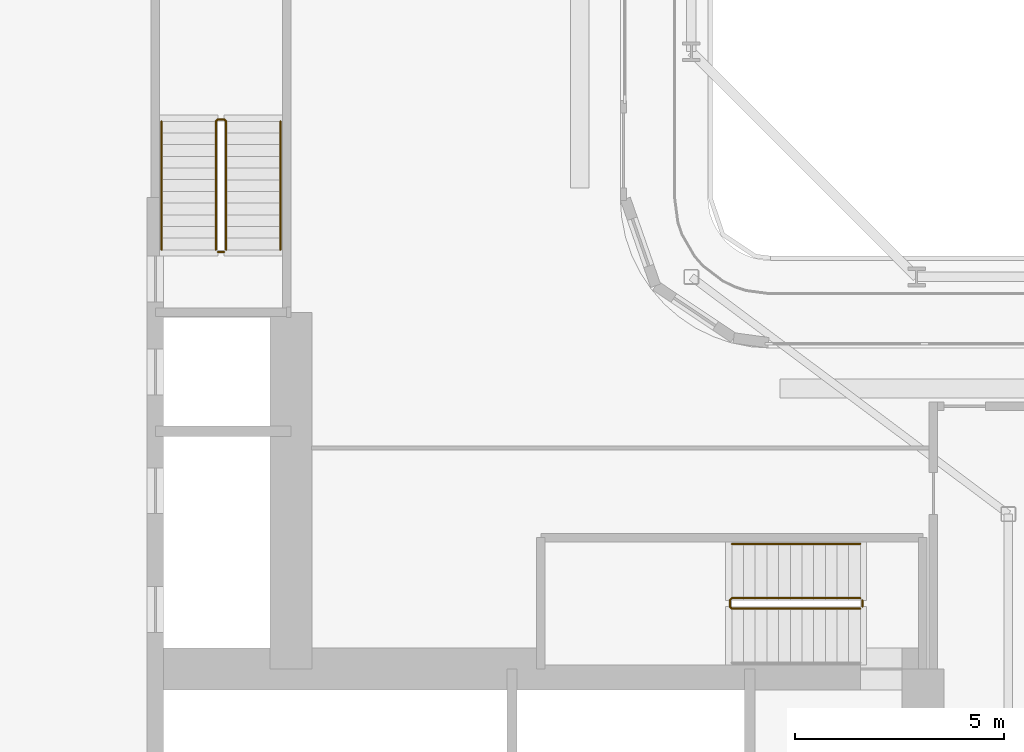
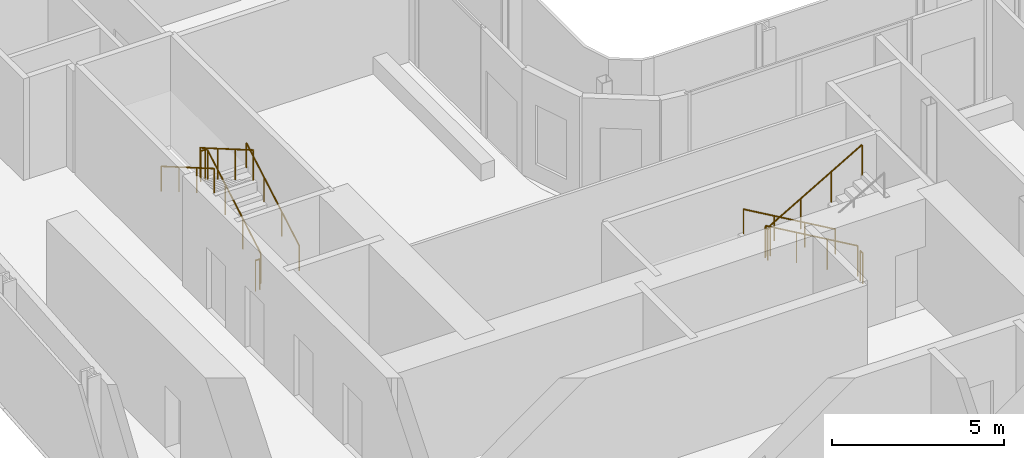
# One storey, part 19 of 24: 7 railings.
"""IFC4 building model written with IfcOpenShell, lengths in metres."""

from ifc_helpers import new_model, si_unit, direction, frame, origin, origin_2d, place, context, subcontext, project, spatial, circle, extrude, material, type_object, element, save


model = new_model("IFC4")

# Units and contexts
model_context = context("Model", 3, precision=1e-05, world=origin(), true_north=direction((0.0, 1.0)))
body_context = subcontext(model_context, "Body", "Model", "MODEL_VIEW")
ifc_project = project(units=[si_unit("LENGTHUNIT", "METRE"), si_unit("AREAUNIT", "SQUARE_METRE"), si_unit("VOLUMEUNIT", "CUBIC_METRE"), si_unit("PLANEANGLEUNIT", "RADIAN"), si_unit("MASSUNIT", "GRAM", prefix="KILO")], contexts=[model_context])

# Site, building, storey
site_placement = place(None, origin())
site = spatial("IfcSite", under=ifc_project, at=site_placement, CompositionType="ELEMENT")
building_placement = place(site_placement, origin())
building = spatial("IfcBuilding", under=site, at=building_placement, Name="Kheshtan School and Residences Tower", CompositionType="ELEMENT")
storey_placement = place(building_placement, frame((0.0, 0.0, 38.300048828125)))
storey = spatial("IfcBuildingStorey", under=building, at=storey_placement, Name="L08", CompositionType="ELEMENT", Elevation=38.300048828125)

# Railings
ifc_material_1 = material(Name="Stainless steel balustrade", Category="steel")
railing_type_1 = type_object("IfcRailingType", Name="Stair guard 1100", PredefinedType="GUARDRAIL", material=ifc_material_1)
railing_1_placement = place(storey_placement, frame((51.64990234375, 37.89990234375, 0.162353515625)))
element("IfcRailing", 1, at=railing_1_placement, inside=storey, type_object=railing_type_1, Name="L08 ST1 stair guard 1", PredefinedType="GUARDRAIL", context=body_context, shape_type="SweptSolid", body=[
    extrude(circle(Radius=0.02392578125, at=origin_2d()), frame((0.0, 0.0, 1.076171875), z_axis=(-0.864873446163, 0.0, 0.501989962173), x_axis=(0.0, -1.0, 0.0)), (0.0, 0.0, 1.0), 3.56103515625),
    extrude(circle(Radius=0.02392578125, at=origin_2d()), frame((-3.079833984375, 0.0, 2.86376953125), z_axis=(-0.708833529934, -0.705375805398, 0.0), x_axis=(0.705375805398, -0.708833529934, 0.0)), (0.0, 0.0, 1.0), 0.070556640625),
    extrude(circle(Radius=0.02392578125, at=origin_2d()), frame((-3.1298828125, -0.0498046875, 2.86376953125), z_axis=(0.0, -1.0, 0.0), x_axis=(1.0, 0.0, 0.0)), (0.0, 0.0, 1.0), 0.150146484375),
    extrude(circle(Radius=0.02392578125, at=origin_2d()), frame((-3.1298828125, -0.199951171875, 2.86376953125), z_axis=(0.282227285176, -0.282227285176, 0.916894497205), x_axis=(0.707106781187, 0.707106781187, 0.0)), (0.0, 0.0, 1.0), 0.17724609375),
    extrude(circle(Radius=0.02392578125, at=origin_2d()), frame((-3.079833984375, -0.25, 3.0263671875), z_axis=(0.864903211148, 0.0, 0.501938676878), x_axis=(0.0, 1.0, 0.0)), (0.0, 0.0, 1.0), 3.560791015625),
    extrude(circle(Radius=0.02099609375, at=origin_2d()), origin(), (0.0, 0.0, 1.0), 1.052001953125),
    extrude(circle(Radius=0.02099609375, at=origin_2d()), frame((-1.026611328125, 0.0, 0.595947265625)), (0.0, 0.0, 1.0), 1.052001953125),
    extrude(circle(Radius=0.02099609375, at=origin_2d()), frame((-2.05322265625, 0.0, 1.191650390625)), (0.0, 0.0, 1.0), 1.052001953125),
    extrude(circle(Radius=0.02099609375, at=origin_2d()), frame((-3.079833984375, 0.0, 1.78759765625)), (0.0, 0.0, 1.0), 1.052001953125),
    extrude(circle(Radius=0.02099609375, at=origin_2d()), frame((-3.1298828125, -0.0498046875, 1.78759765625)), (0.0, 0.0, 1.0), 1.052001953125),
    extrude(circle(Radius=0.02099609375, at=origin_2d()), frame((-3.1298828125, -0.199951171875, 1.78759765625)), (0.0, 0.0, 1.0), 1.052001953125),
    extrude(circle(Radius=0.02099609375, at=origin_2d()), frame((-3.079833984375, -0.25, 1.9501953125)), (0.0, 0.0, 1.0), 1.052001953125),
    extrude(circle(Radius=0.02099609375, at=origin_2d()), frame((-2.05322265625, -0.25, 2.5458984375)), (0.0, 0.0, 1.0), 1.052001953125),
    extrude(circle(Radius=0.02099609375, at=origin_2d()), frame((-1.026611328125, -0.25, 3.141845703125)), (0.0, 0.0, 1.0), 1.052001953125),
    extrude(circle(Radius=0.02099609375, at=origin_2d()), frame((0.0, -0.25, 3.737548828125)), (0.0, 0.0, 1.0), 1.052001953125),
])
railing_2_placement = place(storey_placement, frame((51.699951171875, 37.85009765625, 0.0)))
element("IfcRailing", 2, at=railing_2_placement, inside=storey, type_object=railing_type_1, Name="L08 ST1 stair guard 2", PredefinedType="GUARDRAIL", context=body_context, shape_type="SweptSolid", body=[
    extrude(circle(Radius=0.02392578125, at=origin_2d()), frame((0.0, 0.0, 1.076171875), z_axis=(0.0, -1.0, 0.0), x_axis=(1.0, 0.0, 0.0)), (0.0, 0.0, 1.0), 0.150146484375),
    extrude(circle(Radius=0.02099609375, at=origin_2d()), origin(), (0.0, 0.0, 1.0), 1.052001953125),
    extrude(circle(Radius=0.02099609375, at=origin_2d()), frame((0.0, -0.150146484375, 0.0)), (0.0, 0.0, 1.0), 1.052001953125),
])
railing_3_placement = place(storey_placement, frame((36.449951171875, 46.25, 0.162353515625)))
element("IfcRailing", 3, at=railing_3_placement, inside=storey, type_object=railing_type_1, Name="L08 ST2 stair guard 1", PredefinedType="GUARDRAIL", context=body_context, shape_type="SweptSolid", body=[
    extrude(circle(Radius=0.02392578125, at=origin_2d()), frame((0.0, 0.0, 1.076171875), z_axis=(0.0, 0.864890721111, 0.501960198159), x_axis=(-1.0, 0.0, 0.0)), (0.0, 0.0, 1.0), 3.561279296875),
    extrude(circle(Radius=0.02392578125, at=origin_2d()), frame((0.0, 3.080078125, 2.86376953125), z_axis=(-0.708833529934, 0.705375805398, 0.0), x_axis=(-0.705375805398, -0.708833529934, 0.0)), (0.0, 0.0, 1.0), 0.070556640625),
    extrude(circle(Radius=0.02392578125, at=origin_2d()), frame((-0.050048828125, 3.1298828125, 2.86376953125), z_axis=(-1.0, 0.0, 0.0), x_axis=(0.0, -1.0, 0.0)), (0.0, 0.0, 1.0), 0.14990234375),
    extrude(circle(Radius=0.02392578125, at=origin_2d()), frame((-0.199951171875, 3.1298828125, 2.86376953125), z_axis=(-0.282336740067, -0.280959487676, 0.917250092119), x_axis=(0.705375805398, -0.708833529934, 0.0)), (0.0, 0.0, 1.0), 0.17724609375),
    extrude(circle(Radius=0.02392578125, at=origin_2d()), frame((-0.25, 3.080078125, 3.0263671875), z_axis=(0.0, -0.864920483161, 0.501908913857), x_axis=(1.0, 0.0, 0.0)), (0.0, 0.0, 1.0), 3.56103515625),
    extrude(circle(Radius=0.02099609375, at=origin_2d()), origin(), (0.0, 0.0, 1.0), 1.052001953125),
    extrude(circle(Radius=0.02099609375, at=origin_2d()), frame((0.0, 1.026611328125, 0.595947265625)), (0.0, 0.0, 1.0), 1.052001953125),
    extrude(circle(Radius=0.02099609375, at=origin_2d()), frame((0.0, 2.053466796875, 1.191650390625)), (0.0, 0.0, 1.0), 1.052001953125),
    extrude(circle(Radius=0.02099609375, at=origin_2d()), frame((0.0, 3.080078125, 1.78759765625)), (0.0, 0.0, 1.0), 1.052001953125),
    extrude(circle(Radius=0.02099609375, at=origin_2d()), frame((-0.050048828125, 3.1298828125, 1.78759765625)), (0.0, 0.0, 1.0), 1.052001953125),
    extrude(circle(Radius=0.02099609375, at=origin_2d()), frame((-0.199951171875, 3.1298828125, 1.78759765625)), (0.0, 0.0, 1.0), 1.052001953125),
    extrude(circle(Radius=0.02099609375, at=origin_2d()), frame((-0.25, 3.080078125, 1.9501953125)), (0.0, 0.0, 1.0), 1.052001953125),
    extrude(circle(Radius=0.02099609375, at=origin_2d()), frame((-0.25, 2.053466796875, 2.5458984375)), (0.0, 0.0, 1.0), 1.052001953125),
    extrude(circle(Radius=0.02099609375, at=origin_2d()), frame((-0.25, 1.026611328125, 3.141845703125)), (0.0, 0.0, 1.0), 1.052001953125),
    extrude(circle(Radius=0.02099609375, at=origin_2d()), frame((-0.25, 0.0, 3.737548828125)), (0.0, 0.0, 1.0), 1.052001953125),
])
railing_4_placement = place(storey_placement, frame((36.39990234375, 46.199951171875, 0.0)))
element("IfcRailing", 4, at=railing_4_placement, inside=storey, type_object=railing_type_1, Name="L08 ST2 stair guard 2", PredefinedType="GUARDRAIL", context=body_context, shape_type="SweptSolid", body=[
    extrude(circle(Radius=0.02392578125, at=origin_2d()), frame((0.0, 0.0, 1.076171875), z_axis=(-1.0, 0.0, 0.0), x_axis=(0.0, -1.0, 0.0)), (0.0, 0.0, 1.0), 0.14990234375),
    extrude(circle(Radius=0.02099609375, at=origin_2d()), origin(), (0.0, 0.0, 1.0), 1.052001953125),
    extrude(circle(Radius=0.02099609375, at=origin_2d()), frame((-0.14990234375, 0.0, 0.0)), (0.0, 0.0, 1.0), 1.052001953125),
])
ifc_material_2 = material(Name="Stainless steel handrail", Category="steel")
railing_type_2 = type_object("IfcRailingType", Name="Stair handrail 900", PredefinedType="HANDRAIL", material=ifc_material_2)
railing_5_placement = place(storey_placement, frame((51.64990234375, 39.199951171875, 0.162353515625)))
element("IfcRailing", 5, at=railing_5_placement, inside=storey, type_object=railing_type_2, Name="L08 ST1 stair handrail 1", PredefinedType="HANDRAIL", context=body_context, shape_type="SweptSolid", body=[
    extrude(circle(Radius=0.02392578125, at=origin_2d()), frame((0.0, 0.0, 0.8759765625), z_axis=(-0.864873446163, 0.0, 0.501989962173), x_axis=(0.0, -1.0, 0.0)), (0.0, 0.0, 1.0), 3.56103515625),
    extrude(circle(Radius=0.02099609375, at=origin_2d()), origin(), (0.0, 0.0, 1.0), 0.851806640625),
    extrude(circle(Radius=0.02099609375, at=origin_2d()), frame((-1.026611328125, 0.0, 0.595947265625)), (0.0, 0.0, 1.0), 0.851806640625),
    extrude(circle(Radius=0.02099609375, at=origin_2d()), frame((-2.05322265625, 0.0, 1.191650390625)), (0.0, 0.0, 1.0), 0.851806640625),
    extrude(circle(Radius=0.02099609375, at=origin_2d()), frame((-3.079833984375, 0.0, 1.78759765625)), (0.0, 0.0, 1.0), 0.851806640625),
])
railing_6_placement = place(storey_placement, frame((37.75, 46.25, 0.162353515625)))
element("IfcRailing", 6, at=railing_6_placement, inside=storey, type_object=railing_type_2, Name="L08 ST2 stair handrail 1", PredefinedType="HANDRAIL", context=body_context, shape_type="SweptSolid", body=[
    extrude(circle(Radius=0.02392578125, at=origin_2d()), frame((0.0, 0.0, 0.8759765625), z_axis=(0.0, 0.864890721111, 0.501960198159), x_axis=(-1.0, 0.0, 0.0)), (0.0, 0.0, 1.0), 3.561279296875),
    extrude(circle(Radius=0.02099609375, at=origin_2d()), origin(), (0.0, 0.0, 1.0), 0.851806640625),
    extrude(circle(Radius=0.02099609375, at=origin_2d()), frame((0.0, 1.026611328125, 0.595947265625)), (0.0, 0.0, 1.0), 0.851806640625),
    extrude(circle(Radius=0.02099609375, at=origin_2d()), frame((0.0, 2.053466796875, 1.191650390625)), (0.0, 0.0, 1.0), 0.851806640625),
    extrude(circle(Radius=0.02099609375, at=origin_2d()), frame((0.0, 3.080078125, 1.78759765625)), (0.0, 0.0, 1.0), 0.851806640625),
])
railing_7_placement = place(storey_placement, frame((34.89990234375, 49.330078125, 2.112548828125)))
element("IfcRailing", 7, at=railing_7_placement, inside=storey, type_object=railing_type_2, Name="L08 ST2 stair handrail 2", PredefinedType="HANDRAIL", context=body_context, shape_type="SweptSolid", body=[
    extrude(circle(Radius=0.02392578125, at=origin_2d()), frame((0.0, 0.0, 0.8759765625), z_axis=(0.0, -0.864920483161, 0.501908913857), x_axis=(1.0, 0.0, 0.0)), (0.0, 0.0, 1.0), 3.56103515625),
    extrude(circle(Radius=0.02099609375, at=origin_2d()), origin(), (0.0, 0.0, 1.0), 0.851806640625),
    extrude(circle(Radius=0.02099609375, at=origin_2d()), frame((0.0, -1.026611328125, 0.595703125)), (0.0, 0.0, 1.0), 0.851806640625),
    extrude(circle(Radius=0.02099609375, at=origin_2d()), frame((0.0, -2.053466796875, 1.191650390625)), (0.0, 0.0, 1.0), 0.851806640625),
    extrude(circle(Radius=0.02099609375, at=origin_2d()), frame((0.0, -3.080078125, 1.787353515625)), (0.0, 0.0, 1.0), 0.851806640625),
])

save(model, "model.ifc")
